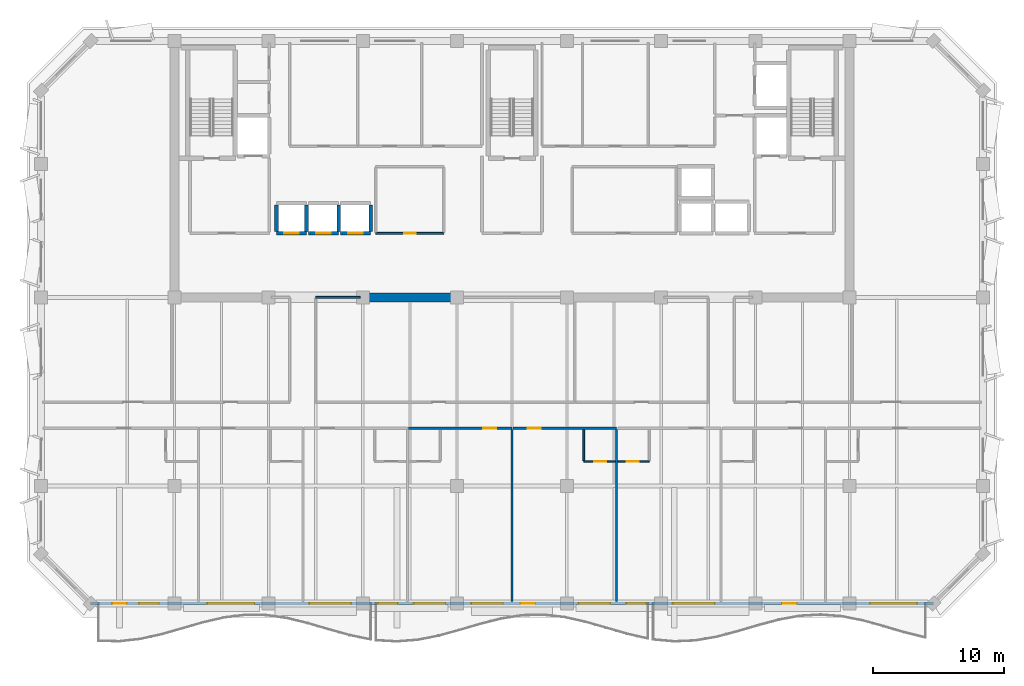
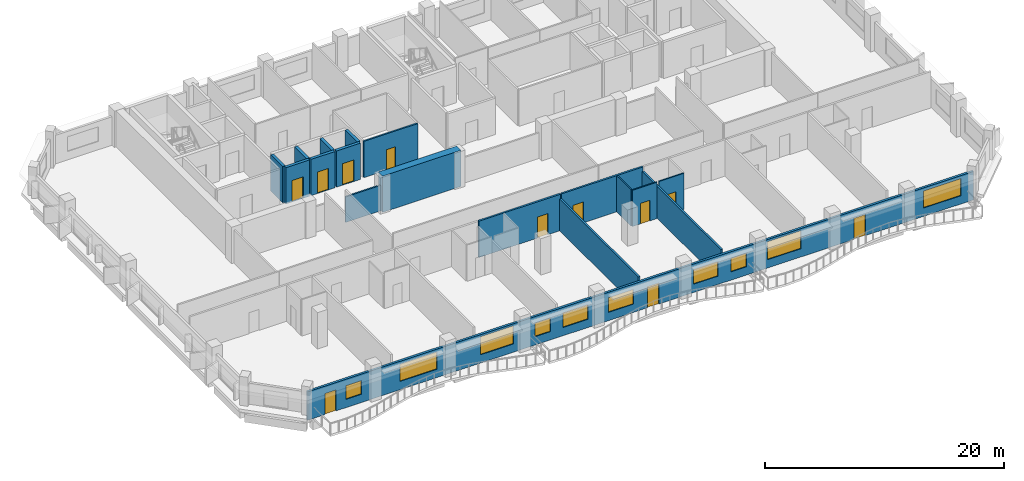
# One storey, part 4 of 11: 18 walls, 11 doors, 10 windows, 21 openings.
"""IFC4 building model written with IfcOpenShell, lengths in metres."""

from ifc_helpers import new_model, si_unit, direction, frame, frame_2d, origin, place, context, subcontext, project, spatial, rectangle, extrude, material, layer, layer_set, type_object, element, fill, save


model = new_model("IFC4")

# Units and contexts
model_context = context("Model", 3, precision=1e-05, world=origin(), true_north=direction((0.0, 1.0)))
body_context = subcontext(model_context, "Body", "Model", "MODEL_VIEW")
ifc_project = project(units=[si_unit("LENGTHUNIT", "METRE"), si_unit("AREAUNIT", "SQUARE_METRE"), si_unit("VOLUMEUNIT", "CUBIC_METRE"), si_unit("PLANEANGLEUNIT", "RADIAN"), si_unit("MASSUNIT", "GRAM", prefix="KILO")], contexts=[model_context])

# Site, building, storey
site_placement = place(None, origin())
site = spatial("IfcSite", under=ifc_project, at=site_placement, CompositionType="ELEMENT")
building_placement = place(site_placement, origin())
building = spatial("IfcBuilding", under=site, at=building_placement, Name="Kaelvorn Grand Hotel", CompositionType="ELEMENT")
storey_placement = place(building_placement, frame((0.0, 0.0, 248.89990234375)))
storey = spatial("IfcBuildingStorey", under=building, at=storey_placement, Name="L61", CompositionType="ELEMENT", Elevation=248.89990234375)

# Wall
ifc_material_1 = material(Name="Concrete C50/60", Category="concrete")
ifc_layer_1 = layer(ifc_material_1, 0.699951171875)
ifc_layer_set_1 = layer_set([ifc_layer_1], Name="Concrete C50/60")
wall_type_1 = type_object("IfcWallType", Name="WL-CORE-700-C50", PredefinedType="SHEAR", material=ifc_layer_set_1)
wall_1_placement = place(storey_placement, frame((30.39990234375, 29.39990234375, 0.0), z_axis=(0.0, 0.0, 1.0), x_axis=(1.0, 0.0, 0.0)))
element("IfcWall", 1, at=wall_1_placement, inside=storey, type_object=wall_type_1, Name="L61 Rear-Core Coupled Shear Pier S2", PredefinedType="SHEAR", context=body_context, shape_type="SweptSolid", body=[
    extrude(rectangle(XDim=7.60009765625, YDim=0.699951171875, at=frame_2d((3.800048828125, 0.0))), origin(), (0.0, 0.0, 1.0), 3.710205078125),
])

# Wall, openings, doors, windows
ifc_material_2 = material(Name="Concrete C40/50", Category="concrete")
ifc_layer_2 = layer(ifc_material_2, 0.219970703125)
ifc_layer_set_2 = layer_set([ifc_layer_2], Name="Concrete C40/50")
wall_type_2 = type_object("IfcWallType", Name="WL-EXT-220-C40", PredefinedType="SOLIDWALL", material=ifc_layer_set_2)
wall_2_placement = place(storey_placement, frame((9.800048828125, 6.0, 0.0), z_axis=(0.0, 0.0, 1.0), x_axis=(1.0, 0.0, 0.0)))
wall_2 = element("IfcWall", 2, at=wall_2_placement, inside=storey, type_object=wall_type_2, Name="L61 Exterior Architectural Concrete Wall 01", PredefinedType="SOLIDWALL", context=body_context, shape_type="SweptSolid", body=[
    extrude(rectangle(XDim=64.39990234375, YDim=0.219970703125, at=frame_2d((32.199951171875, 0.0))), origin(), (0.0, 0.0, 1.0), 2.91015625),
])
opening_1_placement = place(wall_2_placement, frame((1.64990234375, 0.0, 0.0)))
opening_1 = element("IfcOpeningElement", 3, at=opening_1_placement, cuts=wall_2, Name="Opening DE2", PredefinedType="OPENING", context=body_context, shape_type="SweptSolid", body=[
    extrude(rectangle(XDim=1.10009765625, YDim=2.14990234375, at=frame_2d((0.550048828125, 1.074951171875))), frame((0.0, 0.1201171875, 0.0), z_axis=(0.0, -1.0, 0.0), x_axis=(1.0, 0.0, 0.0)), (0.0, 0.0, 1.0), 0.239990234375),
])
opening_2_placement = place(wall_2_placement, frame((32.85009765625, 0.0, 0.0)))
opening_2 = element("IfcOpeningElement", 4, at=opening_2_placement, cuts=wall_2, Name="Opening DE2", PredefinedType="OPENING", context=body_context, shape_type="SweptSolid", body=[
    extrude(rectangle(XDim=1.10009765625, YDim=2.14990234375, at=frame_2d((0.550048828125, 1.074951171875))), frame((0.0, 0.1201171875, 0.0), z_axis=(0.0, -1.0, 0.0), x_axis=(1.0, 0.0, 0.0)), (0.0, 0.0, 1.0), 0.239990234375),
])
opening_3_placement = place(wall_2_placement, frame((52.85009765625, 0.0, 0.0)))
opening_3 = element("IfcOpeningElement", 5, at=opening_3_placement, cuts=wall_2, Name="Opening DE2", PredefinedType="OPENING", context=body_context, shape_type="SweptSolid", body=[
    extrude(rectangle(XDim=1.10009765625, YDim=2.14990234375, at=frame_2d((0.550048828125, 1.074951171875))), frame((0.0, 0.1201171875, 0.0), z_axis=(0.0, -1.0, 0.0), x_axis=(1.0, 0.0, 0.0)), (0.0, 0.0, 1.0), 0.239990234375),
])
opening_4_placement = place(wall_2_placement, frame((3.7099609375, 0.0, 0.85009765625)))
opening_4 = element("IfcOpeningElement", 6, at=opening_4_placement, cuts=wall_2, Name="Opening W10", PredefinedType="OPENING", context=body_context, shape_type="SweptSolid", body=[
    extrude(rectangle(XDim=1.5, YDim=1.39990234375, at=frame_2d((0.75, 0.699951171875))), frame((0.0, 0.1201171875, 0.0), z_axis=(0.0, -1.0, 0.0), x_axis=(1.0, 0.0, 0.0)), (0.0, 0.0, 1.0), 0.239990234375),
])
opening_5_placement = place(wall_2_placement, frame((8.9189453125, 0.0, 0.85009765625)))
opening_5 = element("IfcOpeningElement", 7, at=opening_5_placement, cuts=wall_2, Name="Opening W3", PredefinedType="OPENING", context=body_context, shape_type="SweptSolid", body=[
    extrude(rectangle(XDim=3.60009765625, YDim=1.75, at=frame_2d((1.800048828125, 0.875))), frame((0.0, 0.1201171875, 0.0), z_axis=(0.0, -1.0, 0.0), x_axis=(1.0, 0.0, 0.0)), (0.0, 0.0, 1.0), 0.239990234375),
])
opening_6_placement = place(wall_2_placement, frame((16.71240234375, 0.0, 0.85009765625)))
opening_6 = element("IfcOpeningElement", 8, at=opening_6_placement, cuts=wall_2, Name="Opening W4", PredefinedType="OPENING", context=body_context, shape_type="SweptSolid", body=[
    extrude(rectangle(XDim=3.199951171875, YDim=1.85009765625, at=frame_2d((1.60009765625, 0.925048828125))), frame((0.0, 0.1201171875, 0.0), z_axis=(0.0, -1.0, 0.0), x_axis=(1.0, 0.0, 0.0)), (0.0, 0.0, 1.0), 0.239990234375),
])
opening_7_placement = place(wall_2_placement, frame((21.95654296875, 0.0, 0.85009765625)))
opening_7 = element("IfcOpeningElement", 9, at=opening_7_placement, cuts=wall_2, Name="Opening W10", PredefinedType="OPENING", context=body_context, shape_type="SweptSolid", body=[
    extrude(rectangle(XDim=1.5, YDim=1.39990234375, at=frame_2d((0.75, 0.699951171875))), frame((0.0, 0.1201171875, 0.0), z_axis=(0.0, -1.0, 0.0), x_axis=(1.0, 0.0, 0.0)), (0.0, 0.0, 1.0), 0.239990234375),
])
opening_8_placement = place(wall_2_placement, frame((24.70654296875, 0.0, 0.85009765625)))
opening_8 = element("IfcOpeningElement", 10, at=opening_8_placement, cuts=wall_2, Name="Opening W6", PredefinedType="OPENING", context=body_context, shape_type="SweptSolid", body=[
    extrude(rectangle(XDim=2.39990234375, YDim=1.5, at=frame_2d((1.199951171875, 0.75))), frame((0.0, 0.1201171875, 0.0), z_axis=(0.0, -1.0, 0.0), x_axis=(1.0, 0.0, 0.0)), (0.0, 0.0, 1.0), 0.239990234375),
])
opening_9_placement = place(wall_2_placement, frame((29.10009765625, 0.0, 0.85009765625)))
opening_9 = element("IfcOpeningElement", 11, at=opening_9_placement, cuts=wall_2, Name="Opening W6", PredefinedType="OPENING", context=body_context, shape_type="SweptSolid", body=[
    extrude(rectangle(XDim=2.39990234375, YDim=1.5, at=frame_2d((1.199951171875, 0.75))), frame((0.0, 0.1201171875, 0.0), z_axis=(0.0, -1.0, 0.0), x_axis=(1.0, 0.0, 0.0)), (0.0, 0.0, 1.0), 0.239990234375),
])
opening_10_placement = place(wall_2_placement, frame((37.29345703125, 0.0, 0.85009765625)))
opening_10 = element("IfcOpeningElement", 12, at=opening_10_placement, cuts=wall_2, Name="Opening W6", PredefinedType="OPENING", context=body_context, shape_type="SweptSolid", body=[
    extrude(rectangle(XDim=2.39990234375, YDim=1.5, at=frame_2d((1.199951171875, 0.75))), frame((0.0, 0.1201171875, 0.0), z_axis=(0.0, -1.0, 0.0), x_axis=(1.0, 0.0, 0.0)), (0.0, 0.0, 1.0), 0.239990234375),
])
opening_11_placement = place(wall_2_placement, frame((40.943603515625, 0.0, 0.85009765625)))
opening_11 = element("IfcOpeningElement", 13, at=opening_11_placement, cuts=wall_2, Name="Opening W10", PredefinedType="OPENING", context=body_context, shape_type="SweptSolid", body=[
    extrude(rectangle(XDim=1.5, YDim=1.39990234375, at=frame_2d((0.75, 0.699951171875))), frame((0.0, 0.1201171875, 0.0), z_axis=(0.0, -1.0, 0.0), x_axis=(1.0, 0.0, 0.0)), (0.0, 0.0, 1.0), 0.239990234375),
])
opening_12_placement = place(wall_2_placement, frame((44.487548828125, 0.0, 0.85009765625)))
opening_12 = element("IfcOpeningElement", 14, at=opening_12_placement, cuts=wall_2, Name="Opening W4", PredefinedType="OPENING", context=body_context, shape_type="SweptSolid", body=[
    extrude(rectangle(XDim=3.199951171875, YDim=1.85009765625, at=frame_2d((1.60009765625, 0.925048828125))), frame((0.0, 0.1201171875, 0.0), z_axis=(0.0, -1.0, 0.0), x_axis=(1.0, 0.0, 0.0)), (0.0, 0.0, 1.0), 0.239990234375),
])
opening_13_placement = place(wall_2_placement, frame((59.56494140625, 0.0, 0.85009765625)))
opening_13 = element("IfcOpeningElement", 15, at=opening_13_placement, cuts=wall_2, Name="Opening W3", PredefinedType="OPENING", context=body_context, shape_type="SweptSolid", body=[
    extrude(rectangle(XDim=3.60009765625, YDim=1.75, at=frame_2d((1.800048828125, 0.875))), frame((0.0, 0.1201171875, 0.0), z_axis=(0.0, -1.0, 0.0), x_axis=(1.0, 0.0, 0.0)), (0.0, 0.0, 1.0), 0.239990234375),
])
ifc_material_3 = material(Name="Anodised Aluminium", Category="aluminium")
door_type_1 = type_object("IfcDoorType", Name="DR-EXT-BALC-1100x2150", OperationType="NOTDEFINED", PredefinedType="DOOR", material=ifc_material_3)
door_1_placement = place(opening_1_placement, origin())
door_1 = element("IfcDoor", 16, at=door_1_placement, inside=storey, type_object=door_type_1, Name="L61 Scalloped Balcony Glazed Door DE2-1", OperationType="SINGLE_SWING_RIGHT", OverallHeight=2.14990234375, OverallWidth=1.10009765625, PredefinedType="DOOR", context=body_context, shape_type="SweptSolid", body=[
    extrude(rectangle(XDim=1.10009765625, YDim=2.14990234375, at=frame_2d((0.550048828125, 1.074951171875))), frame((0.0, 0.02490234375, 0.0), z_axis=(0.0, -1.0, 0.0), x_axis=(1.0, 0.0, 0.0)), (0.0, 0.0, 1.0), 0.050048828125),
])
fill(opening_1, door_1)
door_2_placement = place(opening_2_placement, origin())
door_2 = element("IfcDoor", 17, at=door_2_placement, inside=storey, type_object=door_type_1, Name="L61 Scalloped Balcony Glazed Door DE2-2", OperationType="SINGLE_SWING_LEFT", OverallHeight=2.14990234375, OverallWidth=1.10009765625, PredefinedType="DOOR", context=body_context, shape_type="SweptSolid", body=[
    extrude(rectangle(XDim=1.10009765625, YDim=2.14990234375, at=frame_2d((0.550048828125, 1.074951171875))), frame((0.0, 0.02490234375, 0.0), z_axis=(0.0, -1.0, 0.0), x_axis=(1.0, 0.0, 0.0)), (0.0, 0.0, 1.0), 0.050048828125),
])
fill(opening_2, door_2)
door_3_placement = place(opening_3_placement, origin())
door_3 = element("IfcDoor", 18, at=door_3_placement, inside=storey, type_object=door_type_1, Name="L61 Scalloped Balcony Glazed Door DE2-3", OperationType="SINGLE_SWING_RIGHT", OverallHeight=2.14990234375, OverallWidth=1.10009765625, PredefinedType="DOOR", context=body_context, shape_type="SweptSolid", body=[
    extrude(rectangle(XDim=1.10009765625, YDim=2.14990234375, at=frame_2d((0.550048828125, 1.074951171875))), frame((0.0, 0.02490234375, 0.0), z_axis=(0.0, -1.0, 0.0), x_axis=(1.0, 0.0, 0.0)), (0.0, 0.0, 1.0), 0.050048828125),
])
fill(opening_3, door_3)
ifc_material_4 = material(Name="Laminated Low-E Glass", Category="glass")
window_type_1 = type_object("IfcWindowType", Name="WIN-COR-1500x1400", PartitioningType="SINGLE_PANEL", PredefinedType="WINDOW", material=ifc_material_4)
window_1_placement = place(opening_4_placement, origin())
window_1 = element("IfcWindow", 19, at=window_1_placement, inside=storey, type_object=window_type_1, Name="L61 South Guestroom Ribbon Window SR01", OverallHeight=1.39990234375, OverallWidth=1.5, PartitioningType="SINGLE_PANEL", PredefinedType="WINDOW", context=body_context, shape_type="SweptSolid", body=[
    extrude(rectangle(XDim=1.5, YDim=1.39990234375, at=frame_2d((0.75, 0.699951171875))), frame((0.0, 0.030029296875, 0.0), z_axis=(0.0, -1.0, 0.0), x_axis=(1.0, 0.0, 0.0)), (0.0, 0.0, 1.0), 0.06005859375),
])
fill(opening_4, window_1)
window_2_placement = place(opening_7_placement, origin())
window_2 = element("IfcWindow", 20, at=window_2_placement, inside=storey, type_object=window_type_1, Name="L61 South Guestroom Ribbon Window SR04", OverallHeight=1.39990234375, OverallWidth=1.5, PartitioningType="SINGLE_PANEL", PredefinedType="WINDOW", context=body_context, shape_type="SweptSolid", body=[
    extrude(rectangle(XDim=1.5, YDim=1.39990234375, at=frame_2d((0.75, 0.699951171875))), frame((0.0, 0.030029296875, 0.0), z_axis=(0.0, -1.0, 0.0), x_axis=(1.0, 0.0, 0.0)), (0.0, 0.0, 1.0), 0.06005859375),
])
fill(opening_7, window_2)
window_3_placement = place(opening_11_placement, origin())
window_3 = element("IfcWindow", 21, at=window_3_placement, inside=storey, type_object=window_type_1, Name="L61 South Guestroom Ribbon Window SR08", OverallHeight=1.39990234375, OverallWidth=1.5, PartitioningType="SINGLE_PANEL", PredefinedType="WINDOW", context=body_context, shape_type="SweptSolid", body=[
    extrude(rectangle(XDim=1.5, YDim=1.39990234375, at=frame_2d((0.75, 0.699951171875))), frame((0.0, 0.030029296875, 0.0), z_axis=(0.0, -1.0, 0.0), x_axis=(1.0, 0.0, 0.0)), (0.0, 0.0, 1.0), 0.06005859375),
])
fill(opening_11, window_3)
window_type_2 = type_object("IfcWindowType", Name="WIN-NTH-2400x1500", PartitioningType="SINGLE_PANEL", PredefinedType="WINDOW", material=ifc_material_4)
window_4_placement = place(opening_8_placement, origin())
window_4 = element("IfcWindow", 22, at=window_4_placement, inside=storey, type_object=window_type_2, Name="L61 South Guestroom Ribbon Window SR05", OverallHeight=1.5, OverallWidth=2.39990234375, PartitioningType="SINGLE_PANEL", PredefinedType="WINDOW", context=body_context, shape_type="SweptSolid", body=[
    extrude(rectangle(XDim=2.39990234375, YDim=1.5, at=frame_2d((1.199951171875, 0.75))), frame((0.0, 0.030029296875, 0.0), z_axis=(0.0, -1.0, 0.0), x_axis=(1.0, 0.0, 0.0)), (0.0, 0.0, 1.0), 0.06005859375),
])
fill(opening_8, window_4)
window_5_placement = place(opening_9_placement, origin())
window_5 = element("IfcWindow", 23, at=window_5_placement, inside=storey, type_object=window_type_2, Name="L61 South Guestroom Ribbon Window SR06", OverallHeight=1.5, OverallWidth=2.39990234375, PartitioningType="SINGLE_PANEL", PredefinedType="WINDOW", context=body_context, shape_type="SweptSolid", body=[
    extrude(rectangle(XDim=2.39990234375, YDim=1.5, at=frame_2d((1.199951171875, 0.75))), frame((0.0, 0.030029296875, 0.0), z_axis=(0.0, -1.0, 0.0), x_axis=(1.0, 0.0, 0.0)), (0.0, 0.0, 1.0), 0.06005859375),
])
fill(opening_9, window_5)
window_6_placement = place(opening_10_placement, origin())
window_6 = element("IfcWindow", 24, at=window_6_placement, inside=storey, type_object=window_type_2, Name="L61 South Guestroom Ribbon Window SR07", OverallHeight=1.5, OverallWidth=2.39990234375, PartitioningType="SINGLE_PANEL", PredefinedType="WINDOW", context=body_context, shape_type="SweptSolid", body=[
    extrude(rectangle(XDim=2.39990234375, YDim=1.5, at=frame_2d((1.199951171875, 0.75))), frame((0.0, 0.030029296875, 0.0), z_axis=(0.0, -1.0, 0.0), x_axis=(1.0, 0.0, 0.0)), (0.0, 0.0, 1.0), 0.06005859375),
])
fill(opening_10, window_6)
window_type_3 = type_object("IfcWindowType", Name="WIN-RIB-3200x1850", PartitioningType="SINGLE_PANEL", PredefinedType="WINDOW", material=ifc_material_4)
window_7_placement = place(opening_6_placement, origin())
window_7 = element("IfcWindow", 25, at=window_7_placement, inside=storey, type_object=window_type_3, Name="L61 South Guestroom Ribbon Window SR03", OverallHeight=1.85009765625, OverallWidth=3.199951171875, PartitioningType="SINGLE_PANEL", PredefinedType="WINDOW", context=body_context, shape_type="SweptSolid", body=[
    extrude(rectangle(XDim=3.199951171875, YDim=1.85009765625, at=frame_2d((1.60009765625, 0.925048828125))), frame((0.0, 0.030029296875, 0.0), z_axis=(0.0, -1.0, 0.0), x_axis=(1.0, 0.0, 0.0)), (0.0, 0.0, 1.0), 0.06005859375),
])
fill(opening_6, window_7)
window_8_placement = place(opening_12_placement, origin())
window_8 = element("IfcWindow", 26, at=window_8_placement, inside=storey, type_object=window_type_3, Name="L61 South Guestroom Ribbon Window SR09", OverallHeight=1.85009765625, OverallWidth=3.199951171875, PartitioningType="SINGLE_PANEL", PredefinedType="WINDOW", context=body_context, shape_type="SweptSolid", body=[
    extrude(rectangle(XDim=3.199951171875, YDim=1.85009765625, at=frame_2d((1.60009765625, 0.925048828125))), frame((0.0, 0.030029296875, 0.0), z_axis=(0.0, -1.0, 0.0), x_axis=(1.0, 0.0, 0.0)), (0.0, 0.0, 1.0), 0.06005859375),
])
fill(opening_12, window_8)
window_type_4 = type_object("IfcWindowType", Name="WIN-RIB-3600x1750", PartitioningType="SINGLE_PANEL", PredefinedType="WINDOW", material=ifc_material_4)
window_9_placement = place(opening_5_placement, origin())
window_9 = element("IfcWindow", 27, at=window_9_placement, inside=storey, type_object=window_type_4, Name="L61 South Guestroom Ribbon Window SR02", OverallHeight=1.75, OverallWidth=3.60009765625, PartitioningType="SINGLE_PANEL", PredefinedType="WINDOW", context=body_context, shape_type="SweptSolid", body=[
    extrude(rectangle(XDim=3.60009765625, YDim=1.75, at=frame_2d((1.800048828125, 0.875))), frame((0.0, 0.030029296875, 0.0), z_axis=(0.0, -1.0, 0.0), x_axis=(1.0, 0.0, 0.0)), (0.0, 0.0, 1.0), 0.06005859375),
])
fill(opening_5, window_9)
window_10_placement = place(opening_13_placement, origin())
window_10 = element("IfcWindow", 28, at=window_10_placement, inside=storey, type_object=window_type_4, Name="L61 South Guestroom Ribbon Window SR10", OverallHeight=1.75, OverallWidth=3.60009765625, PartitioningType="SINGLE_PANEL", PredefinedType="WINDOW", context=body_context, shape_type="SweptSolid", body=[
    extrude(rectangle(XDim=3.60009765625, YDim=1.75, at=frame_2d((1.800048828125, 0.875))), frame((0.0, 0.030029296875, 0.0), z_axis=(0.0, -1.0, 0.0), x_axis=(1.0, 0.0, 0.0)), (0.0, 0.0, 1.0), 0.06005859375),
])
fill(opening_13, window_10)

# Wall, opening, door
ifc_material_5 = material(Name="Moisture-Resistant Tile & Stud Board")
ifc_layer_3 = layer(ifc_material_5, 0.125)
ifc_layer_set_3 = layer_set([ifc_layer_3], Name="Moisture-Resistant Tile & Stud Board")
wall_type_3 = type_object("IfcWallType", Name="WL-PART-125-WET", PredefinedType="PARTITIONING", material=ifc_layer_set_3)
wall_3_placement = place(storey_placement, frame((47.487548828125, 16.85009765625, 0.0), z_axis=(0.0, 0.0, 1.0), x_axis=(1.0, 0.0, 0.0)))
wall_3 = element("IfcWall", 29, at=wall_3_placement, inside=storey, type_object=wall_type_3, Name="L61 En-suite Bathroom L61-05 S Partition", PredefinedType="PARTITIONING", context=body_context, shape_type="SweptSolid", body=[
    extrude(rectangle(XDim=2.405029296875, YDim=0.125, at=frame_2d((1.20263671875, 0.0))), origin(), (0.0, 0.0, 1.0), 3.710205078125),
])
opening_14_placement = place(wall_3_placement, frame((0.800048828125, 0.0, 0.0)))
opening_14 = element("IfcOpeningElement", 30, at=opening_14_placement, cuts=wall_3, Name="Opening DI4", PredefinedType="OPENING", context=body_context, shape_type="SweptSolid", body=[
    extrude(rectangle(XDim=0.89990234375, YDim=2.10009765625, at=frame_2d((0.449951171875, 1.050048828125))), frame((0.0, 0.072509765625, 0.0), z_axis=(0.0, -1.0, 0.0), x_axis=(1.0, 0.0, 0.0)), (0.0, 0.0, 1.0), 0.14501953125),
])
ifc_material_6 = material(Name="Timber Veneer Leaf", Category="wood")
door_type_2 = type_object("IfcDoorType", Name="DR-INT-BATH-900x2100", OperationType="NOTDEFINED", PredefinedType="DOOR", material=ifc_material_6)
door_4_placement = place(opening_14_placement, origin())
door_4 = element("IfcDoor", 31, at=door_4_placement, inside=storey, type_object=door_type_2, Name="L61 En-suite Bathroom L61-05 Door", OperationType="SINGLE_SWING_LEFT", OverallHeight=2.10009765625, OverallWidth=0.89990234375, PredefinedType="DOOR", context=body_context, shape_type="SweptSolid", body=[
    extrude(rectangle(XDim=0.89990234375, YDim=2.10009765625, at=frame_2d((0.449951171875, 1.050048828125))), frame((0.0, 0.02490234375, 0.0), z_axis=(0.0, -1.0, 0.0), x_axis=(1.0, 0.0, 0.0)), (0.0, 0.0, 1.0), 0.050048828125),
])
fill(opening_14, door_4)

# Wall
wall_4_placement = place(storey_placement, frame((47.487548828125, 16.91748046875, 0.0), z_axis=(0.0, 0.0, 1.0), x_axis=(0.0, 1.0, 0.0)))
element("IfcWall", 32, at=wall_4_placement, inside=storey, type_object=wall_type_3, Name="L61 En-suite Bathroom L61-05 W Partition", PredefinedType="PARTITIONING", context=body_context, shape_type="SweptSolid", body=[
    extrude(rectangle(XDim=2.387451171875, YDim=0.125, at=frame_2d((1.19384765625, 0.0))), origin(), (0.0, 0.0, 1.0), 3.710205078125),
])

# Wall, opening, door
wall_5_placement = place(storey_placement, frame((50.08251953125, 16.85009765625, 0.0), z_axis=(0.0, 0.0, 1.0), x_axis=(1.0, 0.0, 0.0)))
wall_5 = element("IfcWall", 33, at=wall_5_placement, inside=storey, type_object=wall_type_3, Name="L61 En-suite Bathroom L61-06 S Partition", PredefinedType="PARTITIONING", context=body_context, shape_type="SweptSolid", body=[
    extrude(rectangle(XDim=2.405029296875, YDim=0.125, at=frame_2d((1.20263671875, 0.0))), origin(), (0.0, 0.0, 1.0), 3.710205078125),
])
opening_15_placement = place(wall_5_placement, frame((0.705078125, 0.0, 0.0)))
opening_15 = element("IfcOpeningElement", 34, at=opening_15_placement, cuts=wall_5, Name="Opening DI4", PredefinedType="OPENING", context=body_context, shape_type="SweptSolid", body=[
    extrude(rectangle(XDim=0.89990234375, YDim=2.10009765625, at=frame_2d((0.449951171875, 1.050048828125))), frame((0.0, 0.072509765625, 0.0), z_axis=(0.0, -1.0, 0.0), x_axis=(1.0, 0.0, 0.0)), (0.0, 0.0, 1.0), 0.14501953125),
])
door_5_placement = place(opening_15_placement, origin())
door_5 = element("IfcDoor", 35, at=door_5_placement, inside=storey, type_object=door_type_2, Name="L61 En-suite Bathroom L61-06 Door", OperationType="SINGLE_SWING_LEFT", OverallHeight=2.10009765625, OverallWidth=0.89990234375, PredefinedType="DOOR", context=body_context, shape_type="SweptSolid", body=[
    extrude(rectangle(XDim=0.89990234375, YDim=2.10009765625, at=frame_2d((0.449951171875, 1.050048828125))), frame((0.0, 0.02490234375, 0.0), z_axis=(0.0, -1.0, 0.0), x_axis=(1.0, 0.0, 0.0)), (0.0, 0.0, 1.0), 0.050048828125),
])
fill(opening_15, door_5)

ifc_material_7 = material(Name="Acoustic Gypsum & Stud Partition")
ifc_layer_4 = layer(ifc_material_7, 0.14990234375)
ifc_layer_set_4 = layer_set([ifc_layer_4], Name="Acoustic Gypsum & Stud Partition")
wall_type_4 = type_object("IfcWallType", Name="WL-PART-150-EI60", PredefinedType="PARTITIONING", material=ifc_layer_set_4)
wall_6_placement = place(storey_placement, frame((31.60009765625, 34.300048828125, 0.0), z_axis=(0.0, 0.0, 1.0), x_axis=(1.0, 0.0, 0.0)))
wall_6 = element("IfcWall", 36, at=wall_6_placement, inside=storey, type_object=wall_type_4, Name="L61 Core Telecoms & BMS Server Room S Partition", PredefinedType="PARTITIONING", context=body_context, shape_type="SweptSolid", body=[
    extrude(rectangle(XDim=5.199951171875, YDim=0.14990234375, at=frame_2d((2.60009765625, 0.0))), origin(), (0.0, 0.0, 1.0), 3.710205078125),
])
opening_16_placement = place(wall_6_placement, frame((2.175048828125, 0.0, 0.0)))
opening_16 = element("IfcOpeningElement", 37, at=opening_16_placement, cuts=wall_6, Name="Opening DI7", PredefinedType="OPENING", context=body_context, shape_type="SweptSolid", body=[
    extrude(rectangle(XDim=0.85009765625, YDim=2.10009765625, at=frame_2d((0.425048828125, 1.050048828125))), frame((0.0, 0.0849609375, 0.0), z_axis=(0.0, -1.0, 0.0), x_axis=(1.0, 0.0, 0.0)), (0.0, 0.0, 1.0), 0.169921875),
])
ifc_material_8 = material(Name="Powder-Coated Steel Leaf", Category="steel")
door_type_3 = type_object("IfcDoorType", Name="DR-INT-RISER-850x2100", OperationType="NOTDEFINED", PredefinedType="DOOR", material=ifc_material_8)
door_6_placement = place(opening_16_placement, origin())
door_6 = element("IfcDoor", 38, at=door_6_placement, inside=storey, type_object=door_type_3, Name="L61 Core Telecoms & BMS Server Room Door", OperationType="SINGLE_SWING_RIGHT", OverallHeight=2.10009765625, OverallWidth=0.85009765625, PredefinedType="DOOR", context=body_context, shape_type="SweptSolid", body=[
    extrude(rectangle(XDim=0.85009765625, YDim=2.10009765625, at=frame_2d((0.425048828125, 1.050048828125))), frame((0.0, 0.02490234375, 0.0), z_axis=(0.0, -1.0, 0.0), x_axis=(1.0, 0.0, 0.0)), (0.0, 0.0, 1.0), 0.050048828125),
])
fill(opening_16, door_6)

# Wall
wall_7_placement = place(storey_placement, frame((27.0, 29.39990234375, 0.0), z_axis=(0.0, 0.0, 1.0), x_axis=(1.0, 0.0, 0.0)))
element("IfcWall", 39, at=wall_7_placement, inside=storey, type_object=wall_type_4, Name="L61 Hospitality Tea Kitchen N Partition (1)", PredefinedType="PARTITIONING", context=body_context, shape_type="SweptSolid", body=[
    extrude(rectangle(XDim=3.389892578125, YDim=0.14990234375, at=frame_2d((1.69482421875, 0.0))), origin(), (0.0, 0.0, 1.0), 2.610107421875),
])

# Wall, opening, door
ifc_layer_5 = layer(ifc_material_7, 0.179931640625)
ifc_layer_set_5 = layer_set([ifc_layer_5], Name="Acoustic Gypsum & Stud Partition")
wall_type_5 = type_object("IfcWallType", Name="WL-PART-180-EI60", PredefinedType="PARTITIONING", material=ifc_layer_set_5)
wall_8_placement = place(storey_placement, frame((34.107421875, 19.39990234375, 0.0), z_axis=(0.0, 0.0, 1.0), x_axis=(1.0, 0.0, 0.0)))
wall_8 = element("IfcWall", 40, at=wall_8_placement, inside=storey, type_object=wall_type_5, Name="L61 Ambassador Junior Suite L61-04 N Partition", PredefinedType="PARTITIONING", context=body_context, shape_type="SweptSolid", body=[
    extrude(rectangle(XDim=7.892578125, YDim=0.179931640625, at=frame_2d((3.9462890625, 0.0))), origin(), (0.0, 0.0, 1.0), 3.710205078125),
])
opening_17_placement = place(wall_8_placement, frame((5.6826171875, 0.0, 0.0)))
opening_17 = element("IfcOpeningElement", 41, at=opening_17_placement, cuts=wall_8, Name="Opening DI3", PredefinedType="OPENING", context=body_context, shape_type="SweptSolid", body=[
    extrude(rectangle(XDim=1.0, YDim=2.14990234375, at=frame_2d((0.5, 1.074951171875))), frame((0.0, 0.10009765625, 0.0), z_axis=(0.0, -1.0, 0.0), x_axis=(1.0, 0.0, 0.0)), (0.0, 0.0, 1.0), 0.199951171875),
])
ifc_material_9 = material(Name="Timber Veneer Fire Leaf", Category="wood")
door_type_4 = type_object("IfcDoorType", Name="DR-INT-GUEST-1000x2150", OperationType="NOTDEFINED", PredefinedType="DOOR", material=ifc_material_9)
door_7_placement = place(opening_17_placement, origin())
door_7 = element("IfcDoor", 42, at=door_7_placement, inside=storey, type_object=door_type_4, Name="L61 Ambassador Junior Suite L61-04 Door", OperationType="SINGLE_SWING_RIGHT", OverallHeight=2.14990234375, OverallWidth=1.0, PredefinedType="DOOR", context=body_context, shape_type="SweptSolid", body=[
    extrude(rectangle(XDim=1.0, YDim=2.14990234375, at=frame_2d((0.5, 1.074951171875))), frame((0.0, 0.02490234375, 0.0), z_axis=(0.0, -1.0, 0.0), x_axis=(1.0, 0.0, 0.0)), (0.0, 0.0, 1.0), 0.050048828125),
])
fill(opening_17, door_7)

# Wall
wall_9_placement = place(storey_placement, frame((42.0, 6.14990234375, 0.0), z_axis=(0.0, 0.0, 1.0), x_axis=(0.0, 1.0, 0.0)))
element("IfcWall", 43, at=wall_9_placement, inside=storey, type_object=wall_type_5, Name="L61 Ambassador Junior Suite L61-04 E Partition", PredefinedType="PARTITIONING", context=body_context, shape_type="SweptSolid", body=[
    extrude(rectangle(XDim=13.155029296875, YDim=0.179931640625, at=frame_2d((6.57763671875, 0.0))), origin(), (0.0, 0.0, 1.0), 3.260009765625),
])

# Wall, opening, door
wall_10_placement = place(storey_placement, frame((42.094970703125, 19.39990234375, 0.0), z_axis=(0.0, 0.0, 1.0), x_axis=(1.0, 0.0, 0.0)))
wall_10 = element("IfcWall", 44, at=wall_10_placement, inside=storey, type_object=wall_type_5, Name="L61 Ambassador Sky Suite L61-05 N Partition", PredefinedType="PARTITIONING", context=body_context, shape_type="SweptSolid", body=[
    extrude(rectangle(XDim=7.892578125, YDim=0.179931640625, at=frame_2d((3.9462890625, 0.0))), origin(), (0.0, 0.0, 1.0), 3.710205078125),
])
opening_18_placement = place(wall_10_placement, frame((1.114990234375, 0.0, 0.0)))
opening_18 = element("IfcOpeningElement", 45, at=opening_18_placement, cuts=wall_10, Name="Opening DI3", PredefinedType="OPENING", context=body_context, shape_type="SweptSolid", body=[
    extrude(rectangle(XDim=1.0, YDim=2.14990234375, at=frame_2d((0.5, 1.074951171875))), frame((0.0, 0.10009765625, 0.0), z_axis=(0.0, -1.0, 0.0), x_axis=(1.0, 0.0, 0.0)), (0.0, 0.0, 1.0), 0.199951171875),
])
door_8_placement = place(opening_18_placement, origin())
door_8 = element("IfcDoor", 46, at=door_8_placement, inside=storey, type_object=door_type_4, Name="L61 Ambassador Sky Suite L61-05 Door", OperationType="SINGLE_SWING_RIGHT", OverallHeight=2.14990234375, OverallWidth=1.0, PredefinedType="DOOR", context=body_context, shape_type="SweptSolid", body=[
    extrude(rectangle(XDim=1.0, YDim=2.14990234375, at=frame_2d((0.5, 1.074951171875))), frame((0.0, 0.02490234375, 0.0), z_axis=(0.0, -1.0, 0.0), x_axis=(1.0, 0.0, 0.0)), (0.0, 0.0, 1.0), 0.050048828125),
])
fill(opening_18, door_8)

# Wall
wall_11_placement = place(storey_placement, frame((49.987548828125, 6.14990234375, 0.0), z_axis=(0.0, 0.0, 1.0), x_axis=(0.0, 1.0, 0.0)))
element("IfcWall", 47, at=wall_11_placement, inside=storey, type_object=wall_type_5, Name="L61 Ambassador Sky Suite L61-05 E Partition", PredefinedType="PARTITIONING", context=body_context, shape_type="SweptSolid", body=[
    extrude(rectangle(XDim=13.155029296875, YDim=0.179931640625, at=frame_2d((6.57763671875, 0.0))), origin(), (0.0, 0.0, 1.0), 3.260009765625),
])

# Wall, opening, door
ifc_layer_6 = layer(ifc_material_1, 0.280029296875)
ifc_layer_set_6 = layer_set([ifc_layer_6], Name="Concrete C50/60")
wall_type_6 = type_object("IfcWallType", Name="WL-SHAFT-280-C50", PredefinedType="SHEAR", material=ifc_layer_set_6)
wall_12_placement = place(storey_placement, frame((24.0, 34.300048828125, 0.0), z_axis=(0.0, 0.0, 1.0), x_axis=(1.0, 0.0, 0.0)))
wall_12 = element("IfcWall", 48, at=wall_12_placement, inside=storey, type_object=wall_type_6, Name="L61 Lift PL-H1 Shaft South Wall", PredefinedType="SHEAR", context=body_context, shape_type="SweptSolid", body=[
    extrude(rectangle(XDim=2.300048828125, YDim=0.280029296875, at=frame_2d((1.14990234375, 0.0))), origin(), (0.0, 0.0, 1.0), 3.710205078125),
])
opening_19_placement = place(wall_12_placement, frame((0.60009765625, 0.0, 0.0)))
opening_19 = element("IfcOpeningElement", 49, at=opening_19_placement, cuts=wall_12, Name="Opening LD-PL-H1", PredefinedType="OPENING", context=body_context, shape_type="SweptSolid", body=[
    extrude(rectangle(XDim=1.10009765625, YDim=2.199951171875, at=frame_2d((0.550048828125, 1.10009765625))), frame((0.0, 0.14990234375, 0.0), z_axis=(0.0, -1.0, 0.0), x_axis=(1.0, 0.0, 0.0)), (0.0, 0.0, 1.0), 0.300048828125),
])
ifc_material_10 = material(Name="Stainless Steel", Category="steel")
door_type_5 = type_object("IfcDoorType", Name="DR-LIFT-PASS-1100x2200", OperationType="DOUBLE_DOOR_SLIDING", PredefinedType="DOOR", material=ifc_material_10)
door_9_placement = place(opening_19_placement, origin())
door_9 = element("IfcDoor", 50, at=door_9_placement, inside=storey, type_object=door_type_5, Name="L61 Lift PL-H1 Sliding Landing Door LD-PL-H1", OperationType="DOUBLE_DOOR_SLIDING", OverallHeight=2.199951171875, OverallWidth=1.10009765625, PredefinedType="DOOR", context=body_context, shape_type="SweptSolid", body=[
    extrude(rectangle(XDim=1.10009765625, YDim=2.199951171875, at=frame_2d((0.550048828125, 1.10009765625))), frame((0.0, 0.02490234375, 0.0), z_axis=(0.0, -1.0, 0.0), x_axis=(1.0, 0.0, 0.0)), (0.0, 0.0, 1.0), 0.050048828125),
])
fill(opening_19, door_9)

# Walls
for number, where, z_axis, x_axis, name in (
    (51, (24.0, 34.445068359375, 0.0), (0.0, 0.0, 1.0), (0.0, 1.0, 0.0), "L61 Lift PL-H1 Shaft West Wall"),
    (52, (26.300048828125, 34.445068359375, 0.0), (0.0, 0.0, 1.0), (0.0, 1.0, 0.0), "L61 Lift PL-H1 Shaft East Wall"),
):
    element("IfcWall", number, at=place(storey_placement, frame(where, z_axis=z_axis, x_axis=x_axis)), inside=storey, type_object=wall_type_6, Name=name, PredefinedType="SHEAR", context=body_context, shape_type="SweptSolid", body=[
        extrude(rectangle(XDim=2.010009765625, YDim=0.280029296875, at=frame_2d((1.0048828125, 0.0))), origin(), (0.0, 0.0, 1.0), 3.710205078125),
    ])

# Wall, opening, door
wall_13_placement = place(storey_placement, frame((26.449951171875, 34.300048828125, 0.0), z_axis=(0.0, 0.0, 1.0), x_axis=(1.0, 0.0, 0.0)))
wall_13 = element("IfcWall", 53, at=wall_13_placement, inside=storey, type_object=wall_type_6, Name="L61 Lift PL-H2 Shaft South Wall", PredefinedType="SHEAR", context=body_context, shape_type="SweptSolid", body=[
    extrude(rectangle(XDim=2.300048828125, YDim=0.280029296875, at=frame_2d((1.14990234375, 0.0))), origin(), (0.0, 0.0, 1.0), 3.710205078125),
])
opening_20_placement = place(wall_13_placement, frame((0.60009765625, 0.0, 0.0)))
opening_20 = element("IfcOpeningElement", 54, at=opening_20_placement, cuts=wall_13, Name="Opening LD-PL-H2", PredefinedType="OPENING", context=body_context, shape_type="SweptSolid", body=[
    extrude(rectangle(XDim=1.10009765625, YDim=2.199951171875, at=frame_2d((0.550048828125, 1.10009765625))), frame((0.0, 0.14990234375, 0.0), z_axis=(0.0, -1.0, 0.0), x_axis=(1.0, 0.0, 0.0)), (0.0, 0.0, 1.0), 0.300048828125),
])
door_10_placement = place(opening_20_placement, origin())
door_10 = element("IfcDoor", 55, at=door_10_placement, inside=storey, type_object=door_type_5, Name="L61 Lift PL-H2 Sliding Landing Door LD-PL-H2", OperationType="DOUBLE_DOOR_SLIDING", OverallHeight=2.199951171875, OverallWidth=1.10009765625, PredefinedType="DOOR", context=body_context, shape_type="SweptSolid", body=[
    extrude(rectangle(XDim=1.10009765625, YDim=2.199951171875, at=frame_2d((0.550048828125, 1.10009765625))), frame((0.0, 0.02490234375, 0.0), z_axis=(0.0, -1.0, 0.0), x_axis=(1.0, 0.0, 0.0)), (0.0, 0.0, 1.0), 0.050048828125),
])
fill(opening_20, door_10)

# Wall
wall_14_placement = place(storey_placement, frame((28.75, 34.445068359375, 0.0), z_axis=(0.0, 0.0, 1.0), x_axis=(0.0, 1.0, 0.0)))
element("IfcWall", 56, at=wall_14_placement, inside=storey, type_object=wall_type_6, Name="L61 Lift PL-H2 Shaft East Wall", PredefinedType="SHEAR", context=body_context, shape_type="SweptSolid", body=[
    extrude(rectangle(XDim=2.010009765625, YDim=0.280029296875, at=frame_2d((1.0048828125, 0.0))), origin(), (0.0, 0.0, 1.0), 3.710205078125),
])

# Wall, opening, door
wall_15_placement = place(storey_placement, frame((28.89990234375, 34.300048828125, 0.0), z_axis=(0.0, 0.0, 1.0), x_axis=(1.0, 0.0, 0.0)))
wall_15 = element("IfcWall", 57, at=wall_15_placement, inside=storey, type_object=wall_type_6, Name="L61 Lift PL-H3 Shaft South Wall", PredefinedType="SHEAR", context=body_context, shape_type="SweptSolid", body=[
    extrude(rectangle(XDim=2.300048828125, YDim=0.280029296875, at=frame_2d((1.14990234375, 0.0))), origin(), (0.0, 0.0, 1.0), 3.710205078125),
])
opening_21_placement = place(wall_15_placement, frame((0.60009765625, 0.0, 0.0)))
opening_21 = element("IfcOpeningElement", 58, at=opening_21_placement, cuts=wall_15, Name="Opening LD-PL-H3", PredefinedType="OPENING", context=body_context, shape_type="SweptSolid", body=[
    extrude(rectangle(XDim=1.10009765625, YDim=2.199951171875, at=frame_2d((0.550048828125, 1.10009765625))), frame((0.0, 0.14990234375, 0.0), z_axis=(0.0, -1.0, 0.0), x_axis=(1.0, 0.0, 0.0)), (0.0, 0.0, 1.0), 0.300048828125),
])
door_11_placement = place(opening_21_placement, origin())
door_11 = element("IfcDoor", 59, at=door_11_placement, inside=storey, type_object=door_type_5, Name="L61 Lift PL-H3 Sliding Landing Door LD-PL-H3", OperationType="DOUBLE_DOOR_SLIDING", OverallHeight=2.199951171875, OverallWidth=1.10009765625, PredefinedType="DOOR", context=body_context, shape_type="SweptSolid", body=[
    extrude(rectangle(XDim=1.10009765625, YDim=2.199951171875, at=frame_2d((0.550048828125, 1.10009765625))), frame((0.0, 0.02490234375, 0.0), z_axis=(0.0, -1.0, 0.0), x_axis=(1.0, 0.0, 0.0)), (0.0, 0.0, 1.0), 0.050048828125),
])
fill(opening_21, door_11)

# Wall
wall_16_placement = place(storey_placement, frame((31.199951171875, 34.445068359375, 0.0), z_axis=(0.0, 0.0, 1.0), x_axis=(0.0, 1.0, 0.0)))
element("IfcWall", 60, at=wall_16_placement, inside=storey, type_object=wall_type_6, Name="L61 Lift PL-H3 Shaft East Wall", PredefinedType="SHEAR", context=body_context, shape_type="SweptSolid", body=[
    extrude(rectangle(XDim=2.010009765625, YDim=0.280029296875, at=frame_2d((1.0048828125, 0.0))), origin(), (0.0, 0.0, 1.0), 3.710205078125),
])

save(model, "model.ifc")
